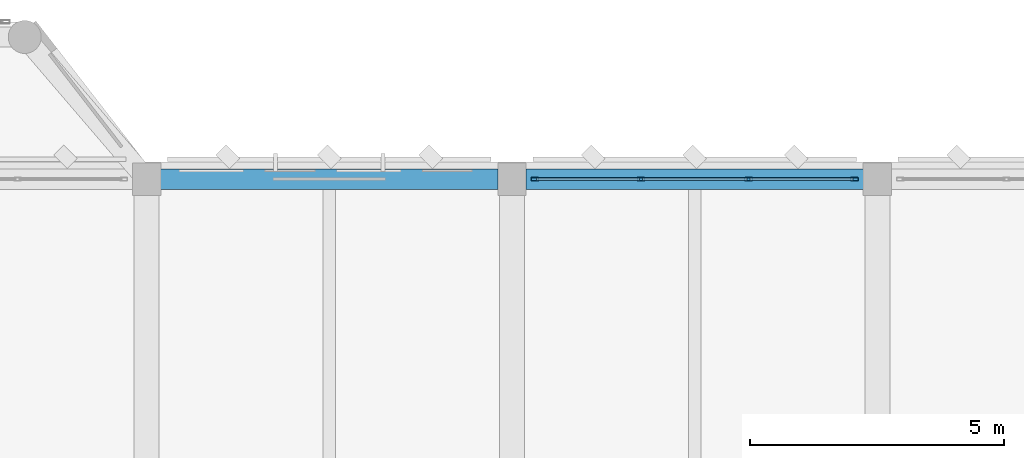
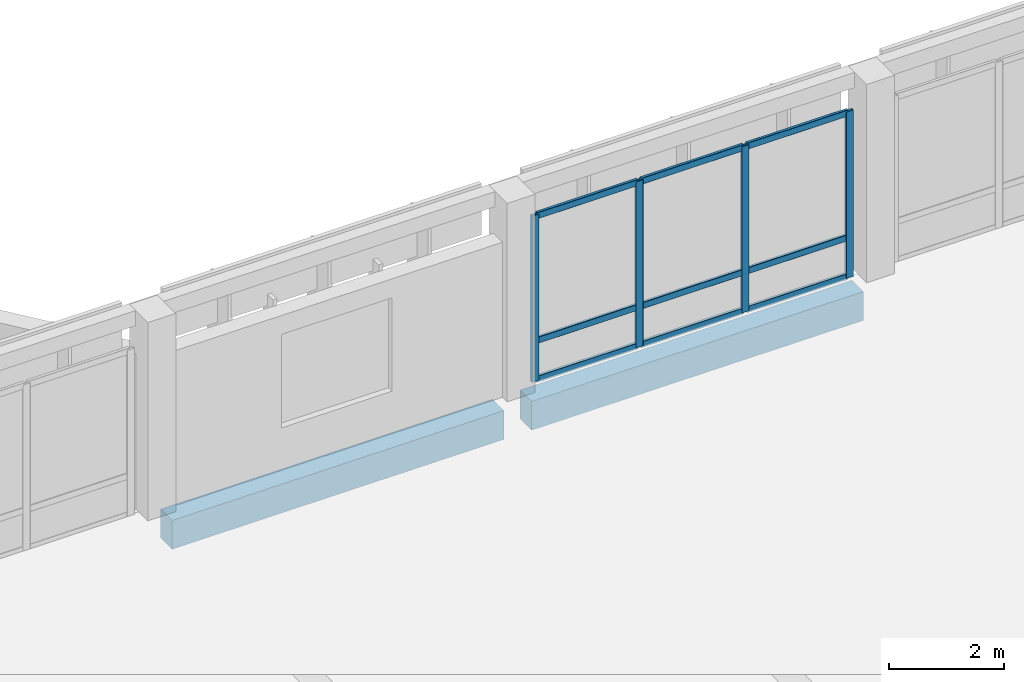
# One storey, part 114 of 158: 13 members, 2 beams, 1 element without a shape of its own.
"""IFC4 building model written with IfcOpenShell, lengths in metres."""

from ifc_helpers import new_model, si_unit, direction, frame, origin, origin_2d, place, context, subcontext, project, spatial, rectangle, hollow_rectangle, extrude, material, material_profile, profile_set, type_object, element, aggregate, save


model = new_model("IFC4")

# Units and contexts
model_context = context("Model", 3, precision=1e-05, world=origin(), true_north=direction((0.0, 1.0)))
body_context = subcontext(model_context, "Body", "Model", "MODEL_VIEW")
ifc_project = project(units=[si_unit("LENGTHUNIT", "METRE"), si_unit("AREAUNIT", "SQUARE_METRE"), si_unit("VOLUMEUNIT", "CUBIC_METRE"), si_unit("PLANEANGLEUNIT", "RADIAN"), si_unit("MASSUNIT", "GRAM", prefix="KILO")], contexts=[model_context])

# Site, building, storey
site_placement = place(None, origin())
site = spatial("IfcSite", under=ifc_project, at=site_placement, CompositionType="ELEMENT")
building_placement = place(site_placement, origin())
building = spatial("IfcBuilding", under=site, at=building_placement, Name="Lusvemor Sports Hall", CompositionType="ELEMENT")
storey_placement = place(building_placement, frame((0.0, 0.0, 10.800048828125)))
storey = spatial("IfcBuildingStorey", under=building, at=storey_placement, Name="L02", CompositionType="ELEMENT", Elevation=10.800048828125)

# Curtain wall, members
ifc_material_1 = material(Name="Thermally broken bronze-anodized aluminium", Category="aluminium")
curtain_wall_type = type_object("IfcCurtainWallType", Name="CW_WING_B", PredefinedType="NOTDEFINED", material=ifc_material_1)
curtain_wall_placement = place(storey_placement, origin())
curtain_wall = element("IfcCurtainWall", 1, at=curtain_wall_placement, inside=storey, type_object=curtain_wall_type, Name="Curtain Wall CW-L02-N-1-16", PredefinedType="NOTDEFINED")
ifc_material_2 = material(Name="Thermally broken bronze-anodized aluminium", Category="aluminium")
ifc_material_profile_1 = material_profile(ifc_material_2, hollow_rectangle(XDim=0.06494140625, YDim=0.14990234375, WallThickness=0.00390625, InnerFilletRadius=0.00390625, OuterFilletRadius=0.008056640625, at=origin_2d()), Name="CWMUL150x65x4")
ifc_profile_set_1 = profile_set([ifc_material_profile_1], Name="Thermally broken bronze-anodized aluminium")
member_type_1 = type_object("IfcMemberType", Name="CW_MUL_B", PredefinedType="MULLION", material=ifc_profile_set_1)
member_1_placement = place(storey_placement, frame((148.052490234375, 115.199951171875, 0.0), z_axis=(0.0, 0.0, 1.0), x_axis=(0.0, 1.0, 0.0)))
member_1 = element("IfcMember", 2, at=member_1_placement, type_object=member_type_1, Name="CW02 mullion 1", PredefinedType="MULLION", context=body_context, shape_type="SweptSolid", body=[
    extrude(hollow_rectangle(XDim=0.06494140625, YDim=0.14990234375, WallThickness=0.00390625, InnerFilletRadius=0.00390625, OuterFilletRadius=0.008056640625, at=origin_2d()), origin(), (0.0, 0.0, 1.0), 3.52001953125),
])
member_2_placement = place(storey_placement, frame((150.139892578125, 115.199951171875, 0.0), z_axis=(0.0, 0.0, 1.0), x_axis=(0.0, 1.0, 0.0)))
member_2 = element("IfcMember", 3, at=member_2_placement, type_object=member_type_1, Name="CW02 mullion 2", PredefinedType="MULLION", context=body_context, shape_type="SweptSolid", body=[
    extrude(hollow_rectangle(XDim=0.06494140625, YDim=0.14990234375, WallThickness=0.00390625, InnerFilletRadius=0.00390625, OuterFilletRadius=0.008056640625, at=origin_2d()), origin(), (0.0, 0.0, 1.0), 3.52001953125),
])
member_3_placement = place(storey_placement, frame((152.260009765625, 115.199951171875, 0.0), z_axis=(0.0, 0.0, 1.0), x_axis=(0.0, 1.0, 0.0)))
member_3 = element("IfcMember", 4, at=member_3_placement, type_object=member_type_1, Name="CW02 mullion 3", PredefinedType="MULLION", context=body_context, shape_type="SweptSolid", body=[
    extrude(hollow_rectangle(XDim=0.06494140625, YDim=0.14990234375, WallThickness=0.00390625, InnerFilletRadius=0.00390625, OuterFilletRadius=0.008056640625, at=origin_2d()), origin(), (0.0, 0.0, 1.0), 3.52001953125),
])
member_4_placement = place(storey_placement, frame((154.347412109375, 115.199951171875, 0.0), z_axis=(0.0, 0.0, 1.0), x_axis=(0.0, 1.0, 0.0)))
member_4 = element("IfcMember", 5, at=member_4_placement, type_object=member_type_1, Name="CW02 mullion 4", PredefinedType="MULLION", context=body_context, shape_type="SweptSolid", body=[
    extrude(hollow_rectangle(XDim=0.06494140625, YDim=0.14990234375, WallThickness=0.00390625, InnerFilletRadius=0.00390625, OuterFilletRadius=0.008056640625, at=origin_2d()), origin(), (0.0, 0.0, 1.0), 3.52001953125),
])
ifc_material_3 = material(Name="Thermally broken bronze-anodized aluminium", Category="aluminium")
ifc_material_profile_2 = material_profile(ifc_material_3, hollow_rectangle(XDim=0.06005859375, YDim=0.135009765625, WallThickness=0.00390625, InnerFilletRadius=0.00390625, OuterFilletRadius=0.008056640625, at=origin_2d()), Name="CWTRN135x60x4")
ifc_profile_set_2 = profile_set([ifc_material_profile_2], Name="Thermally broken bronze-anodized aluminium")
member_type_2 = type_object("IfcMemberType", Name="CW_TRN_B", PredefinedType="USERDEFINED", material=ifc_profile_set_2)
member_5_placement = place(storey_placement, frame((148.0849609375, 115.199951171875, 0.030029296875), z_axis=(1.0, 0.0, 0.0), x_axis=(0.0, 1.0, 0.0)))
member_5 = element("IfcMember", 6, at=member_5_placement, type_object=member_type_2, Name="CW02 transom 1.1", ObjectType="TRANSOM", PredefinedType="USERDEFINED", context=body_context, shape_type="SweptSolid", body=[
    extrude(hollow_rectangle(XDim=0.06005859375, YDim=0.135009765625, WallThickness=0.00390625, InnerFilletRadius=0.00390625, OuterFilletRadius=0.008056640625, at=origin_2d()), origin(), (0.0, 0.0, 1.0), 2.0224609375),
])
member_6_placement = place(storey_placement, frame((148.0849609375, 115.199951171875, 0.849853515625), z_axis=(1.0, 0.0, 0.0), x_axis=(0.0, 1.0, 0.0)))
member_6 = element("IfcMember", 7, at=member_6_placement, type_object=member_type_2, Name="CW02 transom 1.2", ObjectType="TRANSOM", PredefinedType="USERDEFINED", context=body_context, shape_type="SweptSolid", body=[
    extrude(hollow_rectangle(XDim=0.06005859375, YDim=0.135009765625, WallThickness=0.00390625, InnerFilletRadius=0.00390625, OuterFilletRadius=0.008056640625, at=origin_2d()), origin(), (0.0, 0.0, 1.0), 2.0224609375),
])
member_7_placement = place(storey_placement, frame((148.0849609375, 115.199951171875, 3.489990234375), z_axis=(1.0, 0.0, 0.0), x_axis=(0.0, 1.0, 0.0)))
member_7 = element("IfcMember", 8, at=member_7_placement, type_object=member_type_2, Name="CW02 transom 1.3", ObjectType="TRANSOM", PredefinedType="USERDEFINED", context=body_context, shape_type="SweptSolid", body=[
    extrude(hollow_rectangle(XDim=0.06005859375, YDim=0.135009765625, WallThickness=0.00390625, InnerFilletRadius=0.00390625, OuterFilletRadius=0.008056640625, at=origin_2d()), origin(), (0.0, 0.0, 1.0), 2.0224609375),
])
member_8_placement = place(storey_placement, frame((150.172607421875, 115.199951171875, 0.030029296875), z_axis=(1.0, 0.0, 0.0), x_axis=(0.0, 1.0, 0.0)))
member_8 = element("IfcMember", 9, at=member_8_placement, type_object=member_type_2, Name="CW02 transom 2.1", ObjectType="TRANSOM", PredefinedType="USERDEFINED", context=body_context, shape_type="SweptSolid", body=[
    extrude(hollow_rectangle(XDim=0.06005859375, YDim=0.135009765625, WallThickness=0.00390625, InnerFilletRadius=0.00390625, OuterFilletRadius=0.008056640625, at=origin_2d()), origin(), (0.0, 0.0, 1.0), 2.054931640625),
])
member_9_placement = place(storey_placement, frame((150.172607421875, 115.199951171875, 0.849853515625), z_axis=(1.0, 0.0, 0.0), x_axis=(0.0, 1.0, 0.0)))
member_9 = element("IfcMember", 10, at=member_9_placement, type_object=member_type_2, Name="CW02 transom 2.2", ObjectType="TRANSOM", PredefinedType="USERDEFINED", context=body_context, shape_type="SweptSolid", body=[
    extrude(hollow_rectangle(XDim=0.06005859375, YDim=0.135009765625, WallThickness=0.00390625, InnerFilletRadius=0.00390625, OuterFilletRadius=0.008056640625, at=origin_2d()), origin(), (0.0, 0.0, 1.0), 2.054931640625),
])
member_10_placement = place(storey_placement, frame((150.172607421875, 115.199951171875, 3.489990234375), z_axis=(1.0, 0.0, 0.0), x_axis=(0.0, 1.0, 0.0)))
member_10 = element("IfcMember", 11, at=member_10_placement, type_object=member_type_2, Name="CW02 transom 2.3", ObjectType="TRANSOM", PredefinedType="USERDEFINED", context=body_context, shape_type="SweptSolid", body=[
    extrude(hollow_rectangle(XDim=0.06005859375, YDim=0.135009765625, WallThickness=0.00390625, InnerFilletRadius=0.00390625, OuterFilletRadius=0.008056640625, at=origin_2d()), origin(), (0.0, 0.0, 1.0), 2.054931640625),
])
member_11_placement = place(storey_placement, frame((152.29248046875, 115.199951171875, 0.030029296875), z_axis=(1.0, 0.0, 0.0), x_axis=(0.0, 1.0, 0.0)))
member_11 = element("IfcMember", 12, at=member_11_placement, type_object=member_type_2, Name="CW02 transom 3.1", ObjectType="TRANSOM", PredefinedType="USERDEFINED", context=body_context, shape_type="SweptSolid", body=[
    extrude(hollow_rectangle(XDim=0.06005859375, YDim=0.135009765625, WallThickness=0.00390625, InnerFilletRadius=0.00390625, OuterFilletRadius=0.008056640625, at=origin_2d()), origin(), (0.0, 0.0, 1.0), 2.0224609375),
])
member_12_placement = place(storey_placement, frame((152.29248046875, 115.199951171875, 0.849853515625), z_axis=(1.0, 0.0, 0.0), x_axis=(0.0, 1.0, 0.0)))
member_12 = element("IfcMember", 13, at=member_12_placement, type_object=member_type_2, Name="CW02 transom 3.2", ObjectType="TRANSOM", PredefinedType="USERDEFINED", context=body_context, shape_type="SweptSolid", body=[
    extrude(hollow_rectangle(XDim=0.06005859375, YDim=0.135009765625, WallThickness=0.00390625, InnerFilletRadius=0.00390625, OuterFilletRadius=0.008056640625, at=origin_2d()), origin(), (0.0, 0.0, 1.0), 2.0224609375),
])
member_13_placement = place(storey_placement, frame((152.29248046875, 115.199951171875, 3.489990234375), z_axis=(1.0, 0.0, 0.0), x_axis=(0.0, 1.0, 0.0)))
member_13 = element("IfcMember", 14, at=member_13_placement, type_object=member_type_2, Name="CW02 transom 3.3", ObjectType="TRANSOM", PredefinedType="USERDEFINED", context=body_context, shape_type="SweptSolid", body=[
    extrude(hollow_rectangle(XDim=0.06005859375, YDim=0.135009765625, WallThickness=0.00390625, InnerFilletRadius=0.00390625, OuterFilletRadius=0.008056640625, at=origin_2d()), origin(), (0.0, 0.0, 1.0), 2.0224609375),
])
aggregate(curtain_wall, [member_1, member_2, member_3, member_4, member_5, member_6, member_7, member_8, member_9, member_10, member_11, member_12, member_13])

# Beams
ifc_material_4 = material(Name="Concrete C40/50", Category="concrete")
ifc_material_profile_3 = material_profile(ifc_material_4, rectangle(XDim=0.39990234375, YDim=0.610107421875, at=origin_2d()), Name="RC400x610")
ifc_profile_set_3 = profile_set([ifc_material_profile_3], Name="Concrete C40/50")
beam_type = type_object("IfcBeamType", Name="SPAND_EXT_650", PredefinedType="SPANDREL", material=ifc_profile_set_3)
for number, where, z_axis, x_axis, name in (
    (15, (140.676025390625, 115.199951171875, -0.56494140625), (1.0, 0.0, 0.0), (0.0, 1.0, 0.0), "Beam L02 Q:16-17"),
    (16, (147.8759765625, 115.199951171875, -0.56494140625), (1.0, 0.0, 0.0), (0.0, 1.0, 0.0), "Beam L02 Q:17-18"),
):
    element("IfcBeam", number, at=place(storey_placement, frame(where, z_axis=z_axis, x_axis=x_axis)), inside=storey, type_object=beam_type, Name=name, PredefinedType="SPANDREL", context=body_context, shape_type="SweptSolid", body=[
        extrude(rectangle(XDim=0.39990234375, YDim=0.610107421875, at=origin_2d()), origin(), (0.0, 0.0, 1.0), 6.64794921875),
    ])

save(model, "model.ifc")
